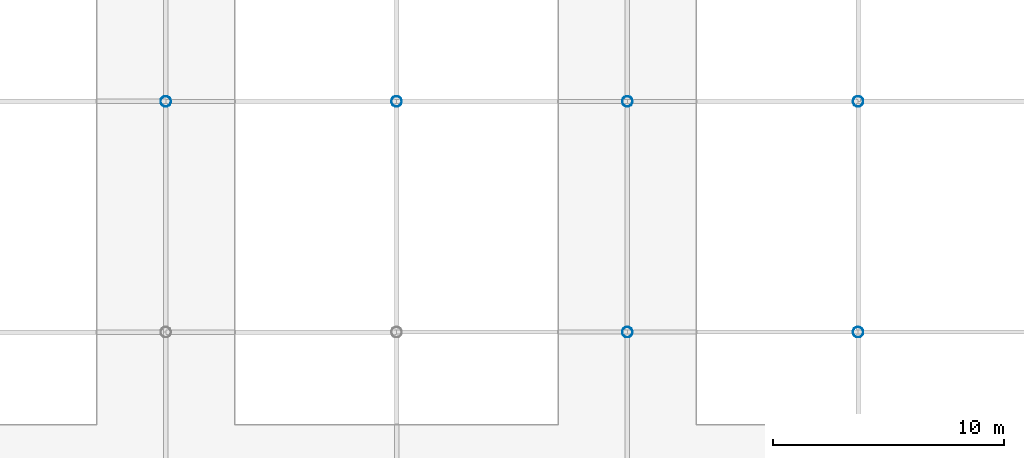
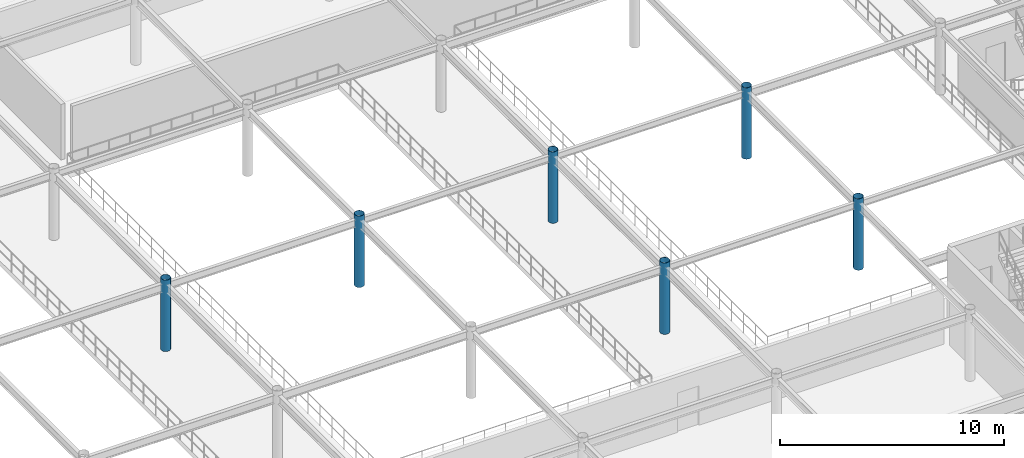
# One storey, part 11 of 98: 6 columns.
"""IFC4 building model written with IfcOpenShell, lengths in metres."""

from ifc_helpers import new_model, si_unit, derived_unit, direction, frame, origin, origin_2d_with_axis, place, context, subcontext, project, spatial, hollow_circle, extrude, material, material_profile, profile_set, type_object, element, save


model = new_model("IFC4")

# Units and contexts
model_context = context("Model", 3, precision=1e-05, world=origin(), true_north=direction((0.0, 1.0)))
body_context = subcontext(model_context, "Body", "Model", "MODEL_VIEW")
ifc_project = project(units=[si_unit("LENGTHUNIT", "METRE"), si_unit("AREAUNIT", "SQUARE_METRE"), si_unit("VOLUMEUNIT", "CUBIC_METRE"), si_unit("PLANEANGLEUNIT", "RADIAN"), si_unit("MASSUNIT", "GRAM", prefix="KILO"), derived_unit("THERMALTRANSMITTANCEUNIT", [(si_unit("POWERUNIT", "WATT"), 1), (si_unit("LENGTHUNIT", "METRE"), -2), (si_unit("THERMODYNAMICTEMPERATUREUNIT", "KELVIN"), -1)])], contexts=[model_context])

# Site, building, storey
site_placement = place(None, origin())
site = spatial("IfcSite", under=ifc_project, at=site_placement, CompositionType="ELEMENT")
building_placement = place(site_placement, origin())
building = spatial("IfcBuilding", under=site, at=building_placement, Name="Cinnabar Yard Market Hall", CompositionType="ELEMENT")
storey_placement = place(building_placement, frame((0.0, 0.0, 4.5)))
storey = spatial("IfcBuildingStorey", under=building, at=storey_placement, Name="L01", CompositionType="ELEMENT", Elevation=4.5)

# Columns
ifc_material = material(Name="Spotted-gum glulam-clad steel Grade 350 (350 MPa)", Category="steel")
ifc_material_profile = material_profile(ifc_material, hollow_circle(Radius=0.228515625, WallThickness=0.0126953125, at=origin_2d_with_axis()), Name="457.0x12.7CHS")
ifc_profile_set = profile_set([ifc_material_profile], Name="Spotted-gum glulam-clad steel Grade 350 (350 MPa)")
column_type = type_object("IfcColumnType", Name="COL-C01", PredefinedType="COLUMN", material=ifc_profile_set)
for number, where, z_axis, x_axis, name in (
    (1, (106.0, 44.0, 0.0), (0.0, 0.0, 1.0), (1.0, 0.0, 0.0), "Tree Column V1I-04-03 L01"),
    (2, (116.0, 44.0, 0.0), (0.0, 0.0, 1.0), (1.0, 0.0, 0.0), "Tree Column V1I-05-03 L01"),
    (3, (126.0, 34.0, 0.0), (0.0, 0.0, 1.0), (1.0, 0.0, 0.0), "Tree Column V1I-06-02 L01"),
    (4, (126.0, 44.0, 0.0), (0.0, 0.0, 1.0), (1.0, 0.0, 0.0), "Tree Column V1I-06-03 L01"),
    (5, (136.0, 34.0, 0.0), (0.0, 0.0, 1.0), (1.0, 0.0, 0.0), "Tree Column V1I-07-02 L01"),
    (6, (136.0, 44.0, 0.0), (0.0, 0.0, 1.0), (1.0, 0.0, 0.0), "Tree Column V1I-07-03 L01"),
):
    element("IfcColumn", number, at=place(storey_placement, frame(where, z_axis=z_axis, x_axis=x_axis)), inside=storey, type_object=column_type, Name=name, PredefinedType="COLUMN", context=body_context, shape_type="SweptSolid", body=[
        extrude(hollow_circle(Radius=0.228515625, WallThickness=0.0126953125, at=origin_2d_with_axis()), origin(), (0.0, 0.0, 1.0), 3.89990234375),
    ])

save(model, "model.ifc")
